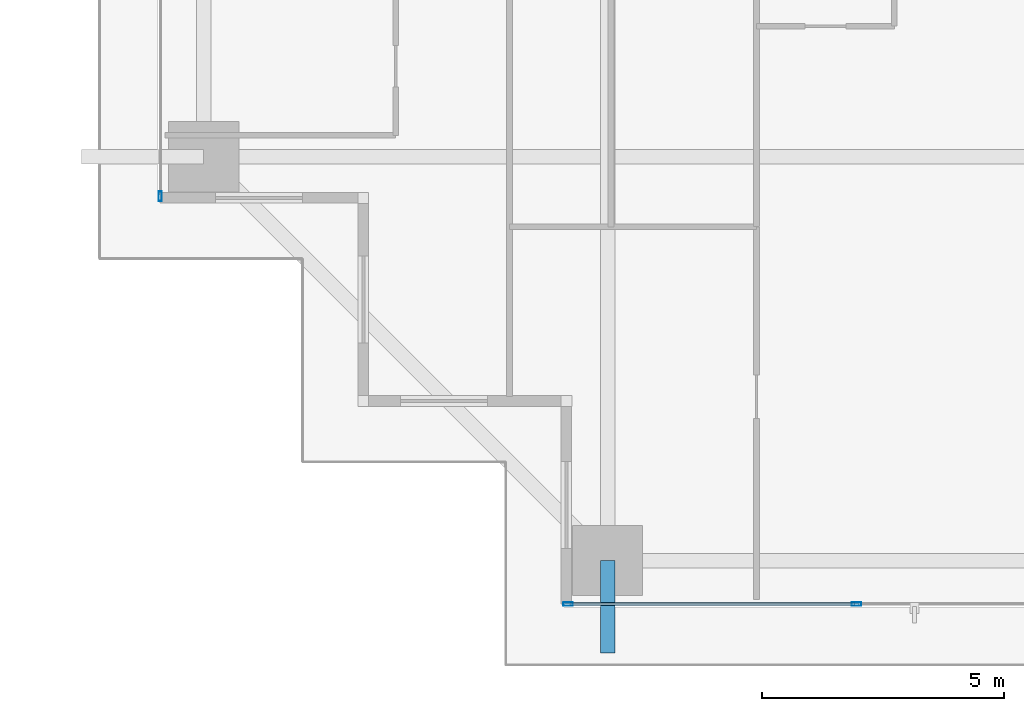
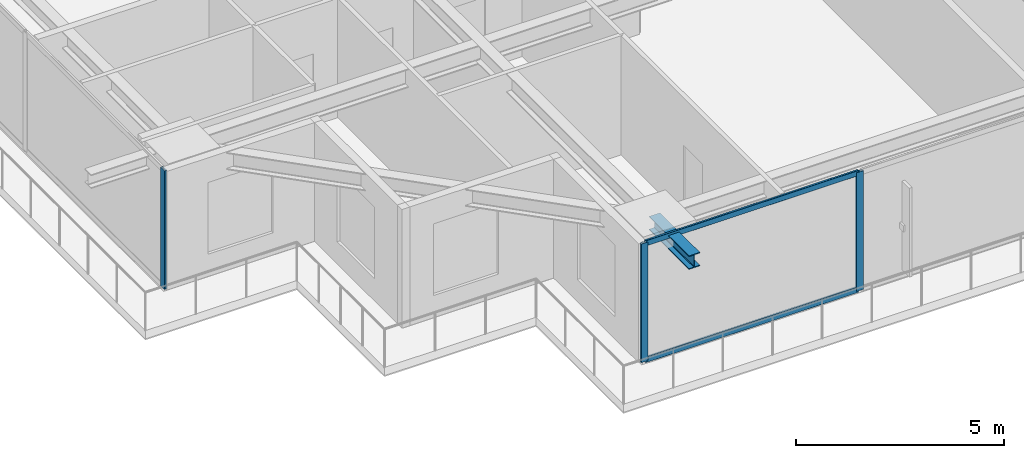
# One storey, part 2 of 38: 5 members, 1 beam, 2 elements without a shape of their own.
"""IFC4 building model written with IfcOpenShell, lengths in metres."""

from ifc_helpers import new_model, si_unit, direction, frame, origin, origin_2d, place, context, subcontext, project, spatial, hollow_rectangle, i_section, extrude, source, transform, mapped, material, layer, layer_set, material_profile, profile_set, type_object, element, aggregate, save


model = new_model("IFC4")

# Units and contexts
model_context = context("Model", 3, precision=1e-05, world=origin(), true_north=direction((0.0, 1.0)))
body_context = subcontext(model_context, "Body", "Model", "MODEL_VIEW")
ifc_project = project(units=[si_unit("LENGTHUNIT", "METRE"), si_unit("AREAUNIT", "SQUARE_METRE"), si_unit("VOLUMEUNIT", "CUBIC_METRE"), si_unit("PLANEANGLEUNIT", "RADIAN"), si_unit("MASSUNIT", "GRAM", prefix="KILO")], contexts=[model_context])

# Site, building, storey
site_placement = place(None, origin())
site = spatial("IfcSite", under=ifc_project, at=site_placement, CompositionType="ELEMENT")
building_placement = place(site_placement, origin())
building = spatial("IfcBuilding", under=site, at=building_placement, Name="Serunith Strait Residences", CompositionType="ELEMENT")
storey_placement = place(building_placement, frame((0.0, 0.0, 52.949951171875)))
storey = spatial("IfcBuildingStorey", under=building, at=storey_placement, Name="L12", CompositionType="ELEMENT", Elevation=52.949951171875)

# Beam
ifc_material_1 = material(Name="Steel S355J2", Category="steel")
ifc_material_profile_1 = material_profile(ifc_material_1, i_section(OverallWidth=0.300048828125, OverallDepth=0.39990234375, WebThickness=0.013427734375, FlangeThickness=0.02392578125, FilletRadius=0.027099609375, at=origin_2d()), Name="HEB 400")
ifc_profile_set_1 = profile_set([ifc_material_profile_1], Name="Steel S355J2")
beam_type = type_object("IfcBeamType", Name="BM-HEB400", PredefinedType="BEAM", material=ifc_profile_set_1)
shared_shape_1 = source(origin(), body_context, "Body", "SweptSolid", [
    extrude(i_section(OverallWidth=0.300048828125, OverallDepth=0.39990234375, WebThickness=0.013427734375, FlangeThickness=0.02392578125, FilletRadius=0.027099609375, at=origin_2d()), origin(), (0.0, 0.0, 1.0), 1.91015625),
])
beam_placement = place(storey_placement, frame((15.25, 1.10009765625, 3.257080078125), z_axis=(0.0, -1.0, 0.0), x_axis=(1.0, 0.0, 0.0)))
element("IfcBeam", 1, at=beam_placement, inside=storey, type_object=beam_type, Name="L13 Cantilevered Balcony Rib TC-S1", PredefinedType="BEAM", context=body_context, shape_type="MappedRepresentation", body=[
    mapped(shared_shape_1, transform((0.0, 0.0, 0.0), scale=1.0)),
])

# Curtain wall, members
ifc_material_2 = material(Name="Pale-Champagne Anodised Aluminium", Category="aluminium")
ifc_layer = layer(ifc_material_2, 0.199951171875, Name="Pale-Champagne Anodised Aluminium")
ifc_layer_set = layer_set([ifc_layer], Name="Pale-Champagne Anodised Aluminium")
curtain_wall_type = type_object("IfcCurtainWallType", Name="CW-SYS1", PredefinedType="NOTDEFINED", material=ifc_layer_set)
curtain_wall_1_placement = place(storey_placement, origin())
curtain_wall_1 = element("IfcCurtainWall", 2, at=curtain_wall_1_placement, inside=storey, type_object=curtain_wall_type, Name="L12 S Unitised Fritted Curtain Wall", PredefinedType="NOTDEFINED")
ifc_material_profile_2 = material_profile(ifc_material_2, hollow_rectangle(XDim=0.070068359375, YDim=0.199951171875, WallThickness=0.00390625, InnerFilletRadius=0.006103515625, OuterFilletRadius=0.010009765625, at=origin_2d()), Name="ALU 200x70x4")
ifc_profile_set_2 = profile_set([ifc_material_profile_2], Name="Pale-Champagne Anodised Aluminium")
member_type_1 = type_object("IfcMemberType", Name="CW-SYS1-MULL", PredefinedType="MULLION", material=ifc_profile_set_2)
shared_shape_2 = source(origin(), body_context, "Body", "SweptSolid", [
    extrude(hollow_rectangle(XDim=0.070068359375, YDim=0.199951171875, WallThickness=0.00390625, InnerFilletRadius=0.006103515625, OuterFilletRadius=0.010009765625, at=origin_2d()), origin(), (0.0, 0.0, 1.0), 3.47509765625),
])
member_1_placement = place(storey_placement, frame((14.43505859375, 0.199951171875, 0.0), z_axis=(0.0, 0.0, 1.0), x_axis=(0.0, 1.0, 0.0)))
member_1 = element("IfcMember", 3, at=member_1_placement, type_object=member_type_1, Name="CW-1 mullion 1", PredefinedType="MULLION", context=body_context, shape_type="MappedRepresentation", body=[
    mapped(shared_shape_2, transform((0.0, 0.0, 0.0), scale=1.0)),
])
member_2_placement = place(storey_placement, frame((20.39990234375, 0.199951171875, 0.0), z_axis=(0.0, 0.0, 1.0), x_axis=(0.0, 1.0, 0.0)))
member_2 = element("IfcMember", 4, at=member_2_placement, type_object=member_type_1, Name="CW-1 mullion 2", PredefinedType="MULLION", context=body_context, shape_type="MappedRepresentation", body=[
    mapped(shared_shape_2, transform((0.0, 0.0, 0.0), scale=1.0)),
])

# Curtain wall, member
curtain_wall_2_placement = place(storey_placement, origin())
curtain_wall_2 = element("IfcCurtainWall", 5, at=curtain_wall_2_placement, inside=storey, type_object=curtain_wall_type, Name="L12 W Unitised Fritted Curtain Wall", PredefinedType="NOTDEFINED")
member_3_placement = place(storey_placement, frame((6.0, 8.635009765625, 0.0), z_axis=(0.0, 0.0, 1.0), x_axis=(1.0, 0.0, 0.0)))
member_3 = element("IfcMember", 6, at=member_3_placement, type_object=member_type_1, Name="CW-1 mullion 6", PredefinedType="MULLION", context=body_context, shape_type="MappedRepresentation", body=[
    mapped(shared_shape_2, transform((0.0, 0.0, 0.0), scale=1.0)),
])
aggregate(curtain_wall_2, [member_3])

# Member
ifc_material_profile_3 = material_profile(ifc_material_2, hollow_rectangle(XDim=0.06005859375, YDim=0.159912109375, WallThickness=0.00341796875, InnerFilletRadius=0.00537109375, OuterFilletRadius=0.0087890625, at=origin_2d()), Name="ALU 160x60x3.5")
ifc_profile_set_3 = profile_set([ifc_material_profile_3], Name="Pale-Champagne Anodised Aluminium")
member_type_2 = type_object("IfcMemberType", Name="CW-SYS1-TRAN", PredefinedType="USERDEFINED", material=ifc_profile_set_3)
shared_shape_3 = source(origin(), body_context, "Body", "SweptSolid", [
    extrude(hollow_rectangle(XDim=0.06005859375, YDim=0.159912109375, WallThickness=0.00341796875, InnerFilletRadius=0.00537109375, OuterFilletRadius=0.0087890625, at=origin_2d()), origin(), (0.0, 0.0, 1.0), 5.89501953125),
])
member_4_placement = place(storey_placement, frame((14.469970703125, 0.199951171875, 0.030029296875), z_axis=(1.0, 0.0, 0.0), x_axis=(0.0, 1.0, 0.0)))
member_4 = element("IfcMember", 7, at=member_4_placement, type_object=member_type_2, Name="CW-1 transom 1.1", ObjectType="TRANSOM", PredefinedType="USERDEFINED", context=body_context, shape_type="MappedRepresentation", body=[
    mapped(shared_shape_3, transform((0.0, 0.0, 0.0), scale=1.0)),
])

member_5_placement = place(storey_placement, frame((14.469970703125, 0.199951171875, 3.445068359375), z_axis=(1.0, 0.0, 0.0), x_axis=(0.0, 1.0, 0.0)))
member_5 = element("IfcMember", 8, at=member_5_placement, type_object=member_type_2, Name="CW-1 transom 1.2", ObjectType="TRANSOM", PredefinedType="USERDEFINED", context=body_context, shape_type="MappedRepresentation", body=[
    mapped(shared_shape_3, transform((0.0, 0.0, 0.0), scale=1.0)),
])

aggregate(curtain_wall_1, [member_1, member_2, member_4, member_5])

save(model, "model.ifc")
